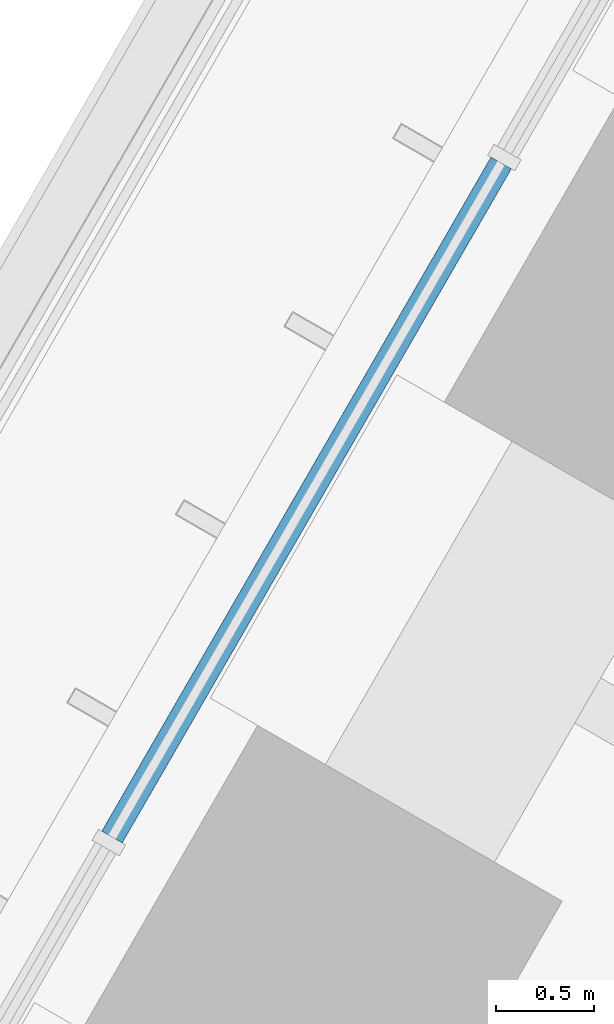
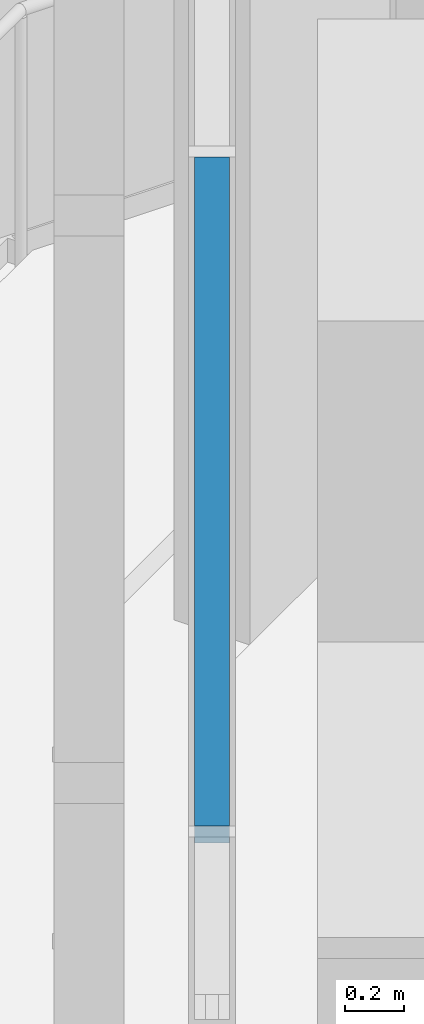
# One storey, part 146 of 228: 1 member, 1 element without a shape of its own.
"""IFC4 building model written with IfcOpenShell, lengths in metres."""

import ifcopenshell
import ifcopenshell.guid

model = None  # the IFC model being written
_history = None  # IfcOwnerHistory: only IFC2X3 demands one
_inside = {}  # id of a spatial element -> (the spatial element, [elements in it])
_under = {}  # id of a project, library or spatial element -> (it, [spatial elements below it])
_declared = {}  # id of a project -> (the project, [libraries it declares])
_typed = {}  # id of a type object -> (the type object, [elements of that type])
_made_of = {}  # id of a material, layer set ... -> (it, [elements and type objects made of it])


def new_model(schema):
    """Start an empty IFC model of exactly this schema.

    Asked for "IFC4X3", IfcOpenShell would pick the latest addendum, in which some entities
    have other attributes; the version numbers below select the first issue.
    IFC2X3 requires an IfcOwnerHistory on every rooted entity: one is made here for all.
    """
    global model, _history
    if schema == "IFC4X3":
        model = ifcopenshell.file(schema_version=(4, 3, 0, 0))
    else:
        model = ifcopenshell.file(schema=schema)
    _inside.clear()
    _under.clear()
    _declared.clear()
    _typed.clear()
    _made_of.clear()
    _history = None
    if model.schema == "IFC2X3":
        org = make("IfcOrganization", Name="unknown")
        user = make(
            "IfcPersonAndOrganization",
            ThePerson=make("IfcPerson", FamilyName="unknown"),
            TheOrganization=org,
        )
        app = make(
            "IfcApplication",
            ApplicationDeveloper=org,
            Version="unknown",
            ApplicationFullName="unknown",
            ApplicationIdentifier="unknown",
        )
        _history = make(
            "IfcOwnerHistory",
            OwningUser=user,
            OwningApplication=app,
            ChangeAction="ADDED",
            CreationDate=0,
        )
    return model


def make(cls, **values):
    """One entity of the class cls with the attributes given. An attribute that is None is left unset."""
    return model.create_entity(
        cls, **{name: value for name, value in values.items() if value is not None}
    )


def rooted(cls, **values):
    """An entity with a GlobalId (a new one), such as an element, a storey or a relation."""
    return make(cls, GlobalId=ifcopenshell.guid.new(), OwnerHistory=_history, **values)


def si_unit(unit_type, name, prefix=None):
    """IfcSIUnit, for example si_unit("LENGTHUNIT", "METRE", prefix="MILLI")."""
    return make("IfcSIUnit", UnitType=unit_type, Prefix=prefix, Name=name)


def assignment(units):
    """IfcUnitAssignment: the units of a project."""
    return None if units is None else make("IfcUnitAssignment", Units=units)


def point(xyz):
    """IfcCartesianPoint."""
    return None if xyz is None else make("IfcCartesianPoint", Coordinates=xyz)


def direction(xyz):
    """IfcDirection."""
    return None if xyz is None else make("IfcDirection", DirectionRatios=xyz)


def frame(location, z_axis=None, x_axis=None):
    """IfcAxis2Placement3D, a coordinate frame: its origin and axes. An axis left out is left unset."""
    return make(
        "IfcAxis2Placement3D",
        Location=point(location),
        Axis=direction(z_axis),
        RefDirection=direction(x_axis),
    )


def frame_2d(location, x_axis=None):
    """IfcAxis2Placement2D, a coordinate frame in the plane: its origin and x axis."""
    return make(
        "IfcAxis2Placement2D", Location=point(location), RefDirection=direction(x_axis)
    )


def origin():
    """The frame at (0, 0, 0) with its axes left unset."""
    return frame((0.0, 0.0, 0.0))


def origin_2d():
    """The frame at (0, 0) in the plane with its x axis left unset."""
    return frame_2d((0.0, 0.0))


def place(relative_to, where):
    """IfcLocalPlacement: puts the frame where relative to a parent placement (None: the world)."""
    return make(
        "IfcLocalPlacement", PlacementRelTo=relative_to, RelativePlacement=where
    )


def context(
    kind, dimensions, precision=None, world=None, true_north=None, identifier=None
):
    """IfcGeometricRepresentationContext, for example the 3D "Model" context."""
    return make(
        "IfcGeometricRepresentationContext",
        ContextIdentifier=identifier,
        ContextType=kind,
        CoordinateSpaceDimension=dimensions,
        Precision=precision,
        WorldCoordinateSystem=world,
        TrueNorth=true_north,
    )


def subcontext(parent, identifier, kind, view, scale=None):
    """IfcGeometricRepresentationSubContext, for example "Body" below "Model"."""
    return make(
        "IfcGeometricRepresentationSubContext",
        ContextIdentifier=identifier,
        ContextType=kind,
        ParentContext=parent,
        TargetScale=scale,
        TargetView=view,
    )


def project(units=None, contexts=None):
    """IfcProject with its units and contexts."""
    return rooted(
        "IfcProject",
        Name="project",
        RepresentationContexts=contexts,
        UnitsInContext=assignment(units),
    )


def spatial(cls, under=None, at=None, **own):
    """A site, building, storey or space (cls), placed at a placement, below another one or the project."""
    s = rooted(cls, ObjectPlacement=at, **own)
    if under is not None:
        _under.setdefault(under.id(), (under, []))[1].append(s)
    return s


def profile(cls, at=None, kind="AREA", **sizes):
    """A parametric profile (cls). Its sizes go by their IFC names, for example OverallWidth=200.0."""
    return make(cls, ProfileType=kind, Position=at, **sizes)


def rectangle(**sizes):
    """IfcRectangleProfileDef."""
    return profile("IfcRectangleProfileDef", **sizes)


def extrude(swept, where, along, depth):
    """IfcExtrudedAreaSolid: the profile swept, set in the frame where, extruded along a direction by depth."""
    return make(
        "IfcExtrudedAreaSolid",
        SweptArea=swept,
        Position=where,
        ExtrudedDirection=direction(along),
        Depth=depth,
    )


def shape(context_of_items, identifier, shape_type, items):
    """IfcShapeRepresentation: the items that make up one representation, for example the "Body"."""
    return make(
        "IfcShapeRepresentation",
        ContextOfItems=context_of_items,
        RepresentationIdentifier=identifier,
        RepresentationType=shape_type,
        Items=items,
    )


def material(Name=None, Category=None):
    """IfcMaterial."""
    return make("IfcMaterial", Name=Name, Category=Category)


def material_profile(
    of_material, cross_section, Name=None, Category=None, Priority=None
):
    """IfcMaterialProfile: a cross section and its material."""
    return make(
        "IfcMaterialProfile",
        Name=Name,
        Material=of_material,
        Profile=cross_section,
        Priority=Priority,
        Category=Category,
    )


def profile_set(profiles, Name=None, composite=None):
    """IfcMaterialProfileSet."""
    return make(
        "IfcMaterialProfileSet",
        Name=Name,
        MaterialProfiles=profiles,
        CompositeProfile=composite,
    )


def made_of(thing, what):
    """Note that an element or type object is made of a material, layer set ...; save() writes the relation."""
    if what is not None:
        _made_of.setdefault(what.id(), (what, []))[1].append(thing)
    return thing


def type_object(cls, material=None, **own):
    """A type object (cls), such as IfcWallType, which elements share."""
    return made_of(rooted(cls, **own), material)


def element(
    cls,
    number,
    at=None,
    inside=None,
    cuts=None,
    type_object=None,
    material=None,
    context=None,
    identifier="Body",
    shape_type=None,
    held_by="IfcProductDefinitionShape",
    body=None,
    shapes=None,
    **own,
):
    """One element of the class cls, such as IfcWall. Its Tag is "e" and its number.

    at: its placement. inside: the storey or other place that contains it. cuts: it is an
    opening in that element (IfcRelVoidsElement). A single representation is given by context,
    identifier, shape_type and body (its items); several are given by shapes. held_by: the class
    of the entity that holds the representations. save() writes the other relations.
    """
    e = rooted(cls, Tag="e%d" % number, ObjectPlacement=at, **own)
    if body is not None:
        shapes = [shape(context, identifier, shape_type, body)]
    if shapes is not None:
        e.Representation = make(held_by, Representations=shapes)
    if inside is not None:
        _inside.setdefault(inside.id(), (inside, []))[1].append(e)
    if cuts is not None:
        rooted(
            "IfcRelVoidsElement", RelatingBuildingElement=cuts, RelatedOpeningElement=e
        )
    if type_object is not None:
        _typed.setdefault(type_object.id(), (type_object, []))[1].append(e)
    return made_of(e, material)


def aggregate(whole, parts):
    """IfcRelAggregates: a whole, such as a stair, and the parts it consists of."""
    return rooted("IfcRelAggregates", RelatingObject=whole, RelatedObjects=parts)


def save(model, path):
    """Write the relations noted so far, then the file.

    IfcRelAggregates (storeys below a building ...), IfcRelContainedInSpatialStructure (elements
    in a storey), IfcRelDefinesByType, IfcRelAssociatesMaterial and IfcRelDeclares: one each for
    every whole, place, type object, material and project.
    """
    for whole, parts in _under.values():
        aggregate(whole, parts)
    for where, things in _inside.values():
        rooted(
            "IfcRelContainedInSpatialStructure",
            RelatedElements=things,
            RelatingStructure=where,
        )
    for kind, things in _typed.values():
        rooted("IfcRelDefinesByType", RelatedObjects=things, RelatingType=kind)
    for what, things in _made_of.values():
        rooted("IfcRelAssociatesMaterial", RelatedObjects=things, RelatingMaterial=what)
    for by, libraries in _declared.values():
        rooted("IfcRelDeclares", RelatingContext=by, RelatedDefinitions=libraries)
    model.write(path)


model = new_model("IFC4")

# Units and contexts
model_context = context("Model", 3, precision=1e-05, world=origin(), true_north=direction((0.0, 1.0)))
body_context = subcontext(model_context, "Body", "Model", "MODEL_VIEW")
ifc_project = project(units=[si_unit("LENGTHUNIT", "METRE"), si_unit("AREAUNIT", "SQUARE_METRE"), si_unit("VOLUMEUNIT", "CUBIC_METRE"), si_unit("PLANEANGLEUNIT", "RADIAN"), si_unit("MASSUNIT", "GRAM", prefix="KILO")], contexts=[model_context])

# Site, building, storey
site_placement = place(None, origin())
site = spatial("IfcSite", under=ifc_project, at=site_placement, CompositionType="ELEMENT")
building_placement = place(site_placement, origin())
building = spatial("IfcBuilding", under=site, at=building_placement, Name="Sandreach Pilgrim Tower", CompositionType="ELEMENT")
storey_placement = place(building_placement, frame((0.0, 0.0, 178.199951171875)))
storey = spatial("IfcBuildingStorey", under=building, at=storey_placement, Name="L44", CompositionType="ELEMENT", Elevation=178.199951171875)

# Curtain wall, member
ifc_material_1 = material(Name="Aluminium framed curtain wall", Category="aluminium")
curtain_wall_type = type_object("IfcCurtainWallType", Name="Upper hotel tower curtain wall", PredefinedType="NOTDEFINED", material=ifc_material_1)
curtain_wall_placement = place(storey_placement, origin())
curtain_wall = element("IfcCurtainWall", 1, at=curtain_wall_placement, inside=storey, type_object=curtain_wall_type, Name="CW-3 L44 NW", PredefinedType="NOTDEFINED")
ifc_material_2 = material(Name="Aluminium extrusion", Category="aluminium")
ifc_material_profile = material_profile(ifc_material_2, rectangle(XDim=0.1201171875, YDim=0.070068359375, at=origin_2d()), Name="CW-3T 120X70")
ifc_profile_set = profile_set([ifc_material_profile], Name="Aluminium extrusion")
member_type = type_object("IfcMemberType", Name="CW-3 transom", PredefinedType="USERDEFINED", material=ifc_profile_set)
member_placement = place(storey_placement, frame((-22.955078125, 13.290771484375, 4.804931640625), z_axis=(0.499975332564, 0.866039645067, 0.0), x_axis=(-0.866039645067, 0.499975332564, 0.0)))
member = element("IfcMember", 2, at=member_placement, type_object=member_type, Name="CW-3 head transom 3", ObjectType="TRANSOM", PredefinedType="USERDEFINED", context=body_context, shape_type="SweptSolid", body=[
    extrude(rectangle(XDim=0.1201171875, YDim=0.070068359375, at=origin_2d()), origin(), (0.0, 0.0, 1.0), 3.983642578125),
])
aggregate(curtain_wall, [member])

save(model, "model.ifc")
